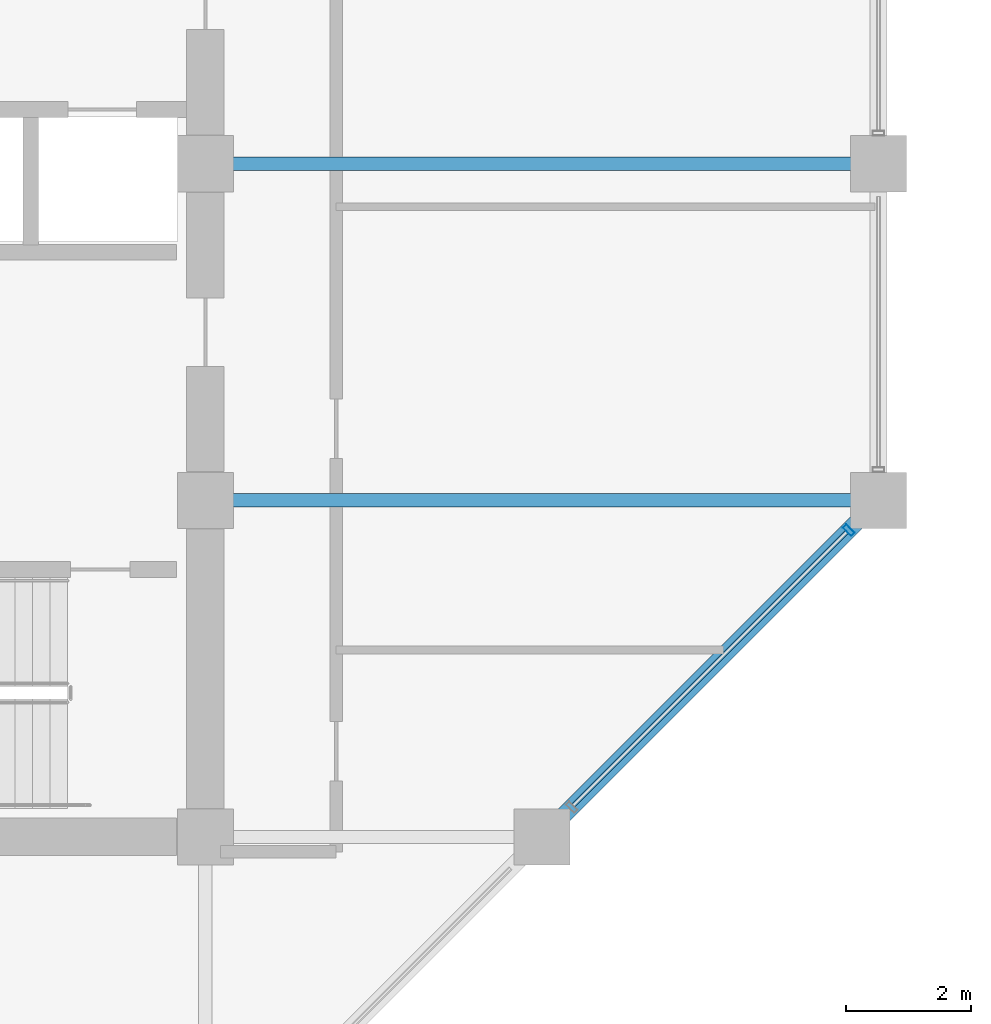
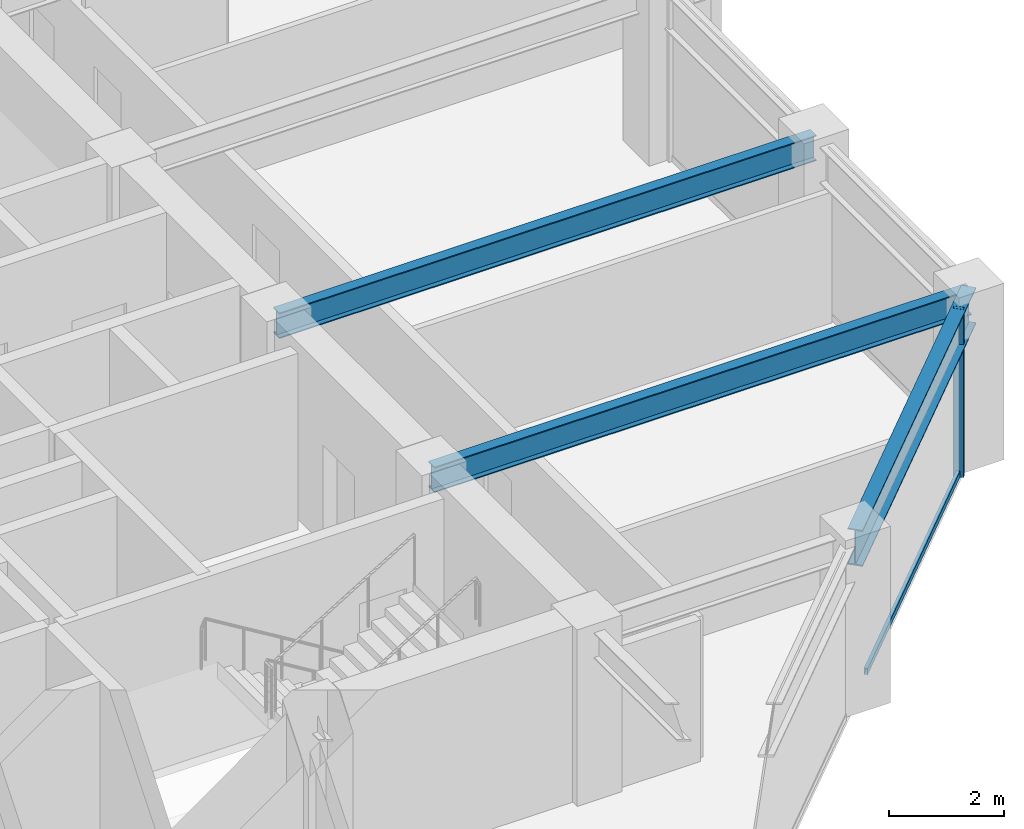
# One storey, part 13 of 32: 3 beams, 2 members, 1 element without a shape of its own.
"""IFC4 building model written with IfcOpenShell, lengths in metres."""

from ifc_helpers import new_model, si_unit, direction, frame, origin, origin_2d, place, context, subcontext, project, spatial, hollow_rectangle, i_section, extrude, material, layer, layer_set, material_profile, profile_set, type_object, element, aggregate, save


model = new_model("IFC4")

# Units and contexts
model_context = context("Model", 3, precision=1e-05, world=origin(), true_north=direction((0.0, 1.0)))
body_context = subcontext(model_context, "Body", "Model", "MODEL_VIEW")
ifc_project = project(units=[si_unit("LENGTHUNIT", "METRE"), si_unit("AREAUNIT", "SQUARE_METRE"), si_unit("VOLUMEUNIT", "CUBIC_METRE"), si_unit("PLANEANGLEUNIT", "RADIAN"), si_unit("MASSUNIT", "GRAM", prefix="KILO")], contexts=[model_context])

# Site, building, storey
site_placement = place(None, origin())
site = spatial("IfcSite", under=ifc_project, at=site_placement, CompositionType="ELEMENT")
building_placement = place(site_placement, origin())
building = spatial("IfcBuilding", under=site, at=building_placement, Name="Surkhivell Harbour Commons", CompositionType="ELEMENT")
storey_placement = place(building_placement, frame((0.0, 0.0, 186.0)))
storey = spatial("IfcBuildingStorey", under=building, at=storey_placement, Name="L48", CompositionType="ELEMENT", Elevation=186.0)

# Beams
ifc_material_1 = material(Name="Steel S355", Category="steel")
ifc_material_profile_1 = material_profile(ifc_material_1, i_section(OverallWidth=0.2119140625, OverallDepth=0.5439453125, WebThickness=0.0126953125, FlangeThickness=0.021240234375, at=origin_2d()), Name="UB533x210x122")
ifc_profile_set_1 = profile_set([ifc_material_profile_1], Name="Steel S355")
beam_type_1 = type_object("IfcBeamType", Name="BM-GRD-533A", PredefinedType="BEAM", material=ifc_profile_set_1)
for number, where, z_axis, x_axis, name in (
    (1, (10.800048828125, -5.39990234375, 3.298095703125), (1.0, 0.0, 0.0), (0.0, 1.0, 0.0), "L48 Floor Girder (10.8,-5.4)"),
    (2, (10.800048828125, 0.0, 3.298095703125), (1.0, 0.0, 0.0), (0.0, 1.0, 0.0), "L48 Floor Girder (10.8,0.0)"),
):
    element("IfcBeam", number, at=place(storey_placement, frame(where, z_axis=z_axis, x_axis=x_axis)), inside=storey, type_object=beam_type_1, Name=name, PredefinedType="BEAM", context=body_context, shape_type="SweptSolid", body=[
        extrude(i_section(OverallWidth=0.2119140625, OverallDepth=0.5439453125, WebThickness=0.0126953125, FlangeThickness=0.021240234375, at=origin_2d()), origin(), (0.0, 0.0, 1.0), 10.800048828125),
    ])
ifc_material_profile_2 = material_profile(ifc_material_1, i_section(OverallWidth=0.26806640625, OverallDepth=0.77001953125, WebThickness=0.015625, FlangeThickness=0.025390625, at=origin_2d()), Name="UB762x267x197")
ifc_profile_set_2 = profile_set([ifc_material_profile_2], Name="Steel S355")
beam_type_2 = type_object("IfcBeamType", Name="BM-SPN-762", PredefinedType="SPANDREL", material=ifc_profile_set_2)
beam_placement = place(storey_placement, frame((16.199951171875, -10.800048828125, 3.18505859375), z_axis=(0.707106781187, 0.707106781187, 0.0), x_axis=(-0.707106781187, 0.707106781187, 0.0)))
element("IfcBeam", 3, at=beam_placement, inside=storey, type_object=beam_type_2, Name="L48 Tube Spandrel (16.2,-10.8)", PredefinedType="SPANDREL", context=body_context, shape_type="SweptSolid", body=[
    extrude(i_section(OverallWidth=0.26806640625, OverallDepth=0.77001953125, WebThickness=0.015625, FlangeThickness=0.025390625, at=origin_2d()), origin(), (0.0, 0.0, 1.0), 7.636962890625),
])

# Curtain wall, members
ifc_material_2 = material(Name="Anodised pale-metal aluminium and insulated glazing", Category="aluminium")
ifc_layer = layer(ifc_material_2, 0.18994140625)
ifc_layer_set = layer_set([ifc_layer], Name="Anodised pale-metal aluminium and insulated glazing")
curtain_wall_type = type_object("IfcCurtainWallType", Name="CW-SYS-Z3", PredefinedType="NOTDEFINED", material=ifc_layer_set)
curtain_wall_placement = place(storey_placement, origin())
curtain_wall = element("IfcCurtainWall", 4, at=curtain_wall_placement, inside=storey, type_object=curtain_wall_type, Name="L48 Curtain Wall CW-L48-E01", PredefinedType="NOTDEFINED")
ifc_material_3 = material(Name="Anodised pale-metal aluminium alloy 6063-T6", Category="aluminium")
ifc_material_profile_3 = material_profile(ifc_material_3, hollow_rectangle(XDim=0.074951171875, YDim=0.18994140625, WallThickness=0.00390625, at=origin_2d()), Name="ALU-MULL-75x190")
ifc_profile_set_3 = profile_set([ifc_material_profile_3], Name="Anodised pale-metal aluminium alloy 6063-T6")
member_type_1 = type_object("IfcMemberType", Name="CWM-190", PredefinedType="MULLION", material=ifc_profile_set_3)
member_1_placement = place(storey_placement, frame((21.121826171875, -5.878173828125, 0.0), z_axis=(0.0, 0.0, 1.0), x_axis=(0.707106781187, 0.707106781187, 0.0)))
member_1 = element("IfcMember", 5, at=member_1_placement, type_object=member_type_1, Name="CW-Z3 mullion 4", PredefinedType="MULLION", context=body_context, shape_type="SweptSolid", body=[
    extrude(hollow_rectangle(XDim=0.074951171875, YDim=0.18994140625, WallThickness=0.00390625, at=origin_2d()), origin(), (0.0, 0.0, 1.0), 3.570068359375),
])
ifc_material_4 = material(Name="Champagne anodised aluminium alloy 6063-T6", Category="aluminium")
ifc_material_profile_4 = material_profile(ifc_material_4, hollow_rectangle(XDim=0.070068359375, YDim=0.1298828125, WallThickness=0.00341796875, at=origin_2d()), Name="ALU-TRAN-70x130")
ifc_profile_set_4 = profile_set([ifc_material_profile_4], Name="Champagne anodised aluminium alloy 6063-T6")
member_type_2 = type_object("IfcMemberType", Name="CWT-130", PredefinedType="USERDEFINED", material=ifc_profile_set_4)
member_2_placement = place(storey_placement, frame((16.70458984375, -10.29541015625, 0.06494140625), z_axis=(0.707106781187, 0.707106781187, 0.0), x_axis=(-0.707106781187, 0.707106781187, 0.0)))
member_2 = element("IfcMember", 6, at=member_2_placement, type_object=member_type_2, Name="CW-Z3 transom 3.1", ObjectType="TRANSOM", PredefinedType="USERDEFINED", context=body_context, shape_type="SweptSolid", body=[
    extrude(hollow_rectangle(XDim=0.070068359375, YDim=0.1298828125, WallThickness=0.00341796875, at=origin_2d()), origin(), (0.0, 0.0, 1.0), 6.209228515625),
])
aggregate(curtain_wall, [member_1, member_2])

save(model, "model.ifc")
